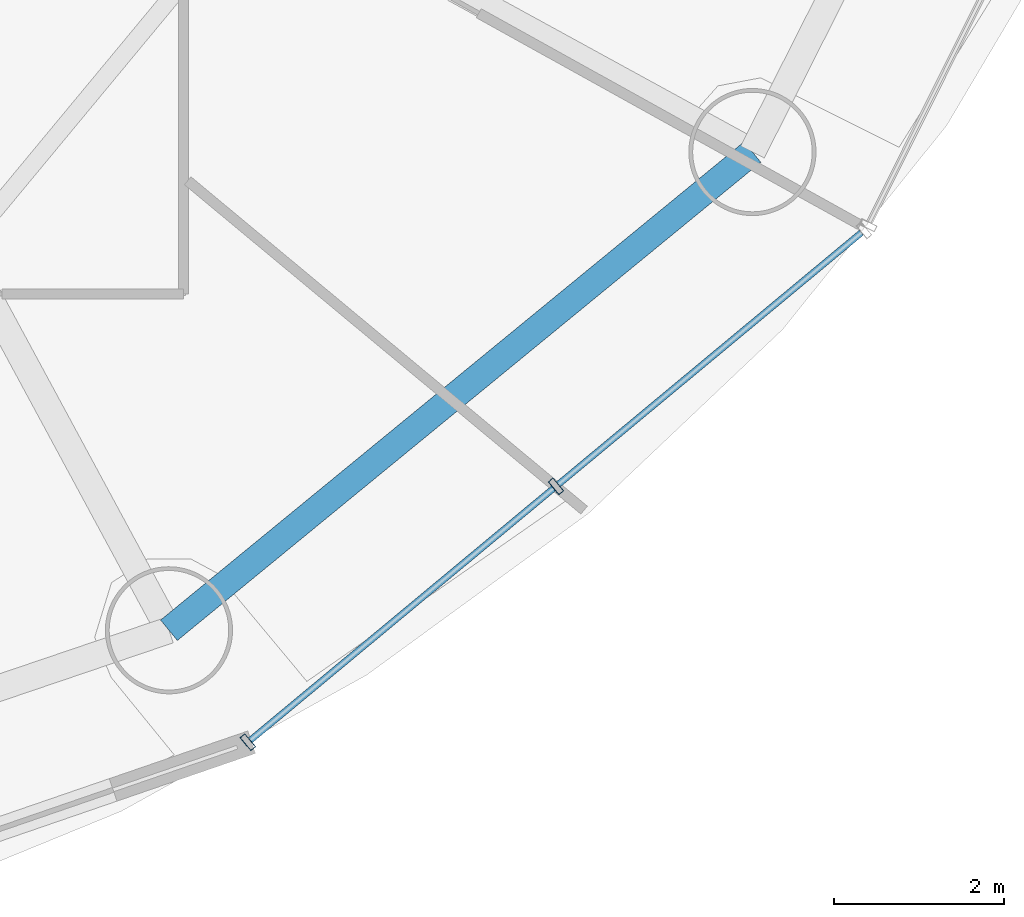
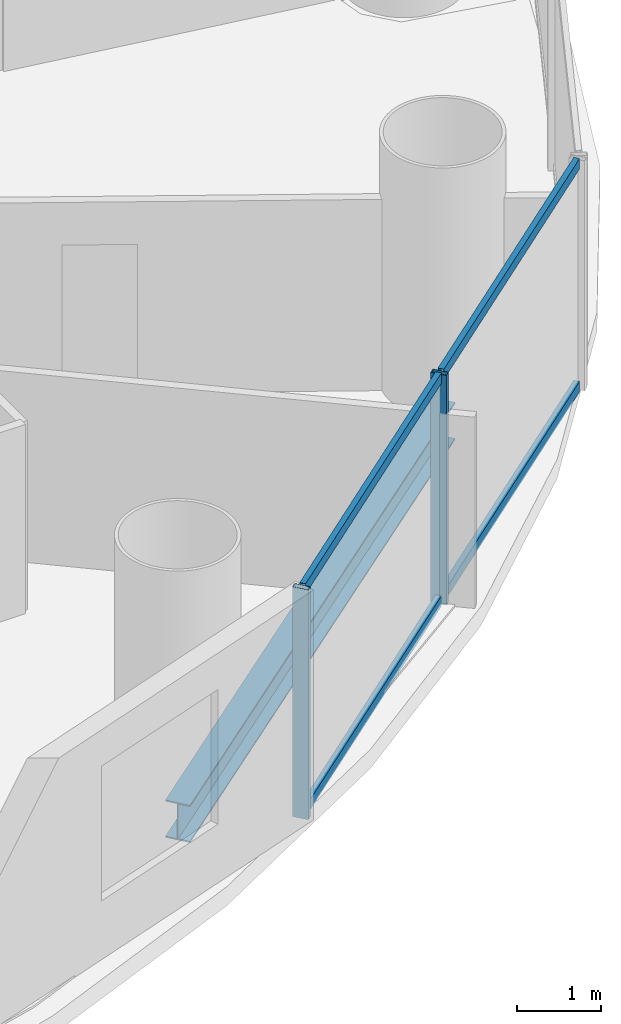
# One storey, part 11 of 29: 6 members, 1 beam, 1 element without a shape of its own.
"""IFC4 building model written with IfcOpenShell, lengths in metres."""

from ifc_helpers import new_model, si_unit, direction, frame, origin, origin_2d, place, context, subcontext, project, spatial, hollow_rectangle, i_section, extrude, source, transform, mapped, material, material_profile, profile_set, type_object, element, aggregate, save


model = new_model("IFC4")

# Units and contexts
model_context = context("Model", 3, precision=1e-05, world=origin(), true_north=direction((-0.2419218956, 0.970295726276)))
body_context = subcontext(model_context, "Body", "Model", "MODEL_VIEW")
ifc_project = project(units=[si_unit("LENGTHUNIT", "METRE"), si_unit("AREAUNIT", "SQUARE_METRE"), si_unit("VOLUMEUNIT", "CUBIC_METRE"), si_unit("PLANEANGLEUNIT", "RADIAN"), si_unit("MASSUNIT", "GRAM", prefix="KILO")], contexts=[model_context])

# Site, building, storey
site_placement = place(None, origin())
site = spatial("IfcSite", under=ifc_project, at=site_placement, CompositionType="ELEMENT")
building_placement = place(site_placement, origin())
building = spatial("IfcBuilding", under=site, at=building_placement, Name="Cobrevalo Terracotta Tower", CompositionType="ELEMENT")
storey_placement = place(building_placement, frame((0.0, 0.0, 79.800048828125)))
storey = spatial("IfcBuildingStorey", under=building, at=storey_placement, Name="L20", CompositionType="ELEMENT", Elevation=79.800048828125)

# Beam
ifc_material_1 = material(Name="Steel S355", Category="steel")
ifc_material_profile_1 = material_profile(ifc_material_1, i_section(OverallWidth=0.31201171875, OverallDepth=0.54296875, WebThickness=0.0126953125, FlangeThickness=0.020263671875, at=origin_2d()), Name="W 530x150")
ifc_profile_set_1 = profile_set([ifc_material_profile_1], Name="Steel S355")
beam_type = type_object("IfcBeamType", Name="Structural Spandrel W 530x150 (Steel S355)", PredefinedType="SPANDREL", material=ifc_profile_set_1)
beam_placement = place(storey_placement, frame((51.861572265625, 9.79638671875, -0.546630859375), z_axis=(0.773400923541, 0.633917196064, 0.0), x_axis=(-0.633917196064, 0.773400923541, 0.0)))
element("IfcBeam", 1, at=beam_placement, inside=storey, type_object=beam_type, Name="L20 perimeter ring spandrel 14", PredefinedType="SPANDREL", context=body_context, shape_type="SweptSolid", body=[
    extrude(i_section(OverallWidth=0.31201171875, OverallDepth=0.54296875, WebThickness=0.0126953125, FlangeThickness=0.020263671875, at=origin_2d()), origin(), (0.0, 0.0, 1.0), 8.900390625),
])

# Curtain wall, members
ifc_material_2 = material(Name="Anodized aluminium", Category="aluminium")
curtain_wall_type = type_object("IfcCurtainWallType", Name="Lower-tower unitised acoustic low-E curtain wall CW-U1", PredefinedType="NOTDEFINED", material=ifc_material_2)
curtain_wall_placement = place(storey_placement, origin())
curtain_wall = element("IfcCurtainWall", 2, at=curtain_wall_placement, inside=storey, type_object=curtain_wall_type, Name="L20 curtain wall CW-L20-S14", PredefinedType="NOTDEFINED")
ifc_material_profile_2 = material_profile(ifc_material_2, hollow_rectangle(XDim=0.074951171875, YDim=0.199951171875, WallThickness=0.0048828125, at=origin_2d()), Name="CWM 75x200")
ifc_profile_set_2 = profile_set([ifc_material_profile_2], Name="Anodized aluminium")
member_type_1 = type_object("IfcMemberType", Name="Lower/mid tower unitised mullion 75x200", PredefinedType="MULLION", material=ifc_profile_set_2)
shared_shape_1 = source(origin(), body_context, "Body", "SweptSolid", [
    extrude(hollow_rectangle(XDim=0.074951171875, YDim=0.199951171875, WallThickness=0.0048828125, at=origin_2d()), origin(), (0.0, 0.0, 1.0), 3.324951171875),
])
member_1_placement = place(storey_placement, frame((52.792236328125, 8.47509765625, 0.0), z_axis=(0.0, 0.0, 1.0), x_axis=(0.769243451658, 0.638955798222, 0.0)))
member_1 = element("IfcMember", 3, at=member_1_placement, type_object=member_type_1, Name="CW-L20-S14 vertical mullion 01", PredefinedType="MULLION", context=body_context, shape_type="MappedRepresentation", body=[
    mapped(shared_shape_1, transform((0.0, 0.0, 0.0), scale=1.0)),
])
member_2_placement = place(storey_placement, frame((56.4267578125, 11.493896484375, 0.0), z_axis=(0.0, 0.0, 1.0), x_axis=(0.769243451658, 0.638955798222, 0.0)))
member_2 = element("IfcMember", 4, at=member_2_placement, type_object=member_type_1, Name="CW-L20-S14 vertical mullion 02", PredefinedType="MULLION", context=body_context, shape_type="MappedRepresentation", body=[
    mapped(shared_shape_1, transform((0.0, 0.0, 0.0), scale=1.0)),
])
ifc_material_profile_3 = material_profile(ifc_material_2, hollow_rectangle(XDim=0.074951171875, YDim=0.14990234375, WallThickness=0.00439453125, at=origin_2d()), Name="CWT 75x150")
ifc_profile_set_3 = profile_set([ifc_material_profile_3], Name="Anodized aluminium")
member_type_2 = type_object("IfcMemberType", Name="Tower unitised aluminium transom 75x150", PredefinedType="USERDEFINED", material=ifc_profile_set_3)
shared_shape_2 = source(origin(), body_context, "Body", "SweptSolid", [
    extrude(hollow_rectangle(XDim=0.074951171875, YDim=0.14990234375, WallThickness=0.00439453125, at=origin_2d()), origin(), (0.0, 0.0, 1.0), 4.64501953125),
])
member_3_placement = place(storey_placement, frame((52.822998046875, 8.50048828125, 0.050048828125), z_axis=(0.769224156193, 0.638979027457, 0.0), x_axis=(-0.638979027457, 0.769224156193, 0.0)))
member_3 = element("IfcMember", 5, at=member_3_placement, type_object=member_type_2, Name="CW-L20-S14 transom B01-T1", ObjectType="TRANSOM", PredefinedType="USERDEFINED", context=body_context, shape_type="MappedRepresentation", body=[
    mapped(shared_shape_2, transform((0.0, 0.0, 0.0), scale=1.0)),
])
member_4_placement = place(storey_placement, frame((52.822998046875, 8.50048828125, 3.27490234375), z_axis=(0.769224156193, 0.638979027457, 0.0), x_axis=(-0.638979027457, 0.769224156193, 0.0)))
member_4 = element("IfcMember", 6, at=member_4_placement, type_object=member_type_2, Name="CW-L20-S14 transom B01-T2", ObjectType="TRANSOM", PredefinedType="USERDEFINED", context=body_context, shape_type="MappedRepresentation", body=[
    mapped(shared_shape_2, transform((0.0, 0.0, 0.0), scale=1.0)),
])
member_5_placement = place(storey_placement, frame((56.45751953125, 11.51953125, 0.050048828125), z_axis=(0.769224156193, 0.638979027457, 0.0), x_axis=(-0.638979027457, 0.769224156193, 0.0)))
member_5 = element("IfcMember", 7, at=member_5_placement, type_object=member_type_2, Name="CW-L20-S14 transom B02-T1", ObjectType="TRANSOM", PredefinedType="USERDEFINED", context=body_context, shape_type="MappedRepresentation", body=[
    mapped(shared_shape_2, transform((0.0, 0.0, 0.0), scale=1.0)),
])
member_6_placement = place(storey_placement, frame((56.45751953125, 11.51953125, 3.27490234375), z_axis=(0.769224156193, 0.638979027457, 0.0), x_axis=(-0.638979027457, 0.769224156193, 0.0)))
member_6 = element("IfcMember", 8, at=member_6_placement, type_object=member_type_2, Name="CW-L20-S14 transom B02-T2", ObjectType="TRANSOM", PredefinedType="USERDEFINED", context=body_context, shape_type="MappedRepresentation", body=[
    mapped(shared_shape_2, transform((0.0, 0.0, 0.0), scale=1.0)),
])
aggregate(curtain_wall, [member_1, member_2, member_3, member_4, member_5, member_6])

save(model, "model.ifc")
